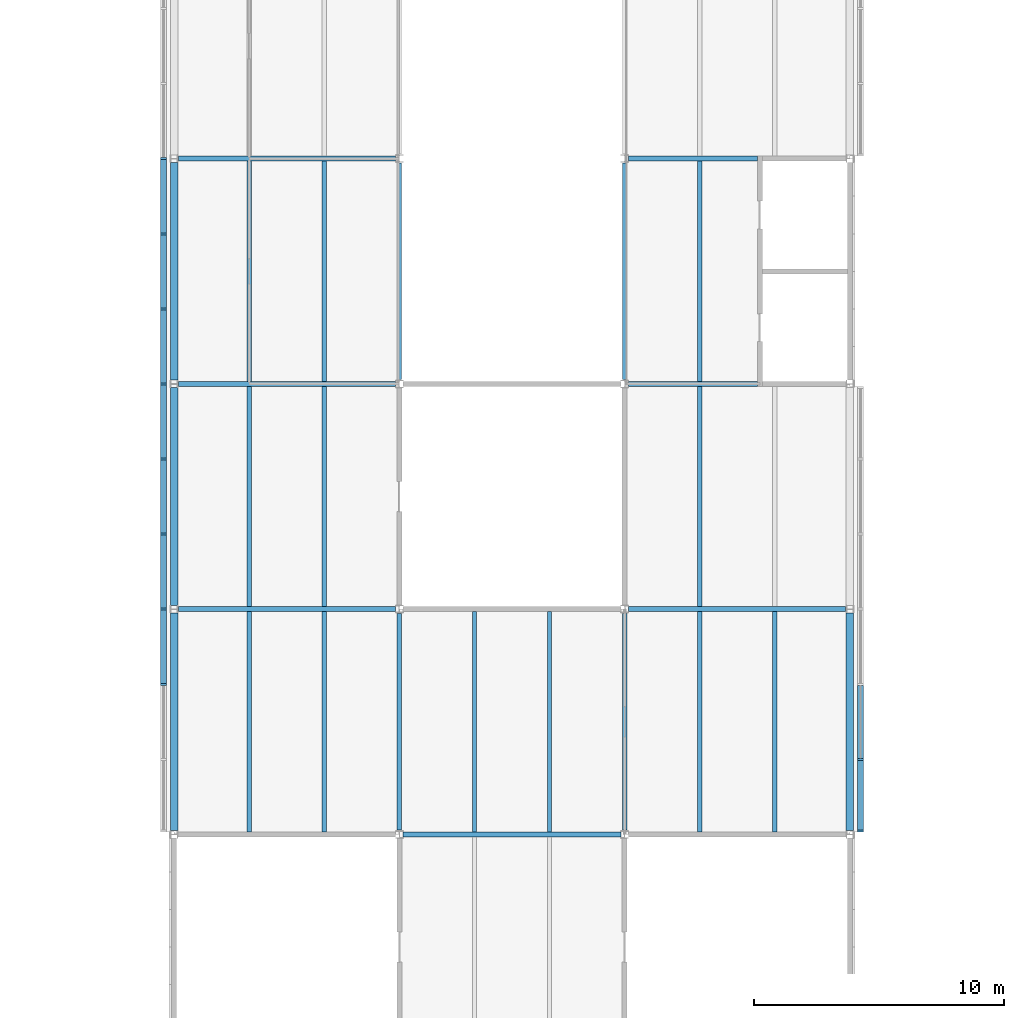
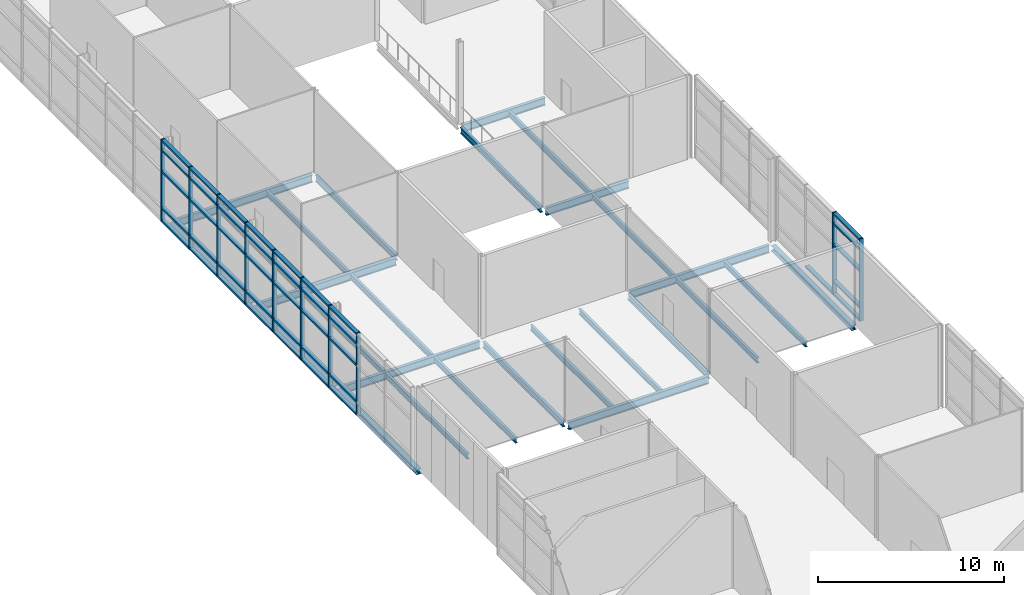
# One storey, part 11 of 46: 51 members, 27 beams, 2 elements without a shape of their own.
"""IFC4 building model written with IfcOpenShell, lengths in metres."""

from ifc_helpers import new_model, si_unit, direction, frame, origin, origin_2d, place, context, subcontext, project, spatial, rectangle, i_section, extrude, material, material_profile, profile_set, type_object, element, aggregate, save


model = new_model("IFC4")

# Units and contexts
model_context = context("Model", 3, precision=1e-05, world=origin(), true_north=direction((0.0, 1.0)))
body_context = subcontext(model_context, "Body", "Model", "MODEL_VIEW")
ifc_project = project(units=[si_unit("LENGTHUNIT", "METRE"), si_unit("AREAUNIT", "SQUARE_METRE"), si_unit("VOLUMEUNIT", "CUBIC_METRE"), si_unit("PLANEANGLEUNIT", "RADIAN"), si_unit("MASSUNIT", "GRAM", prefix="KILO")], contexts=[model_context])

# Site, building, storey
site_placement = place(None, origin())
site = spatial("IfcSite", under=ifc_project, at=site_placement, CompositionType="ELEMENT")
building_placement = place(site_placement, origin())
building = spatial("IfcBuilding", under=site, at=building_placement, Name="Azimuth Sports and Learning Centre", CompositionType="ELEMENT")
storey_placement = place(building_placement, frame((0.0, 0.0, 21.60009765625)))
storey = spatial("IfcBuildingStorey", under=building, at=storey_placement, Name="L04", CompositionType="ELEMENT", Elevation=21.60009765625)

# Beams
ifc_material_1 = material(Name="Steel S355", Category="steel")
ifc_material_profile_1 = material_profile(ifc_material_1, i_section(OverallWidth=0.179931640625, OverallDepth=0.39990234375, WebThickness=0.008544921875, FlangeThickness=0.013427734375, FilletRadius=0.02099609375, at=origin_2d()), Name="IPE 400")
ifc_profile_set_1 = profile_set([ifc_material_profile_1], Name="Steel S355")
beam_type_1 = type_object("IfcBeamType", Name="Beam IPE 400", PredefinedType="BEAM", material=ifc_profile_set_1)
for number, where, z_axis, x_axis, name in (
    (1, (81.0, 36.179931640625, -0.35009765625), (0.0, 1.0, 0.0), (-1.0, 0.0, 0.0), "Beam L04 ST 31"),
    (2, (81.0, 54.179931640625, -0.35009765625), (0.0, 1.0, 0.0), (-1.0, 0.0, 0.0), "Beam L04 ST 32"),
    (3, (90.0, 36.179931640625, -0.35009765625), (0.0, 1.0, 0.0), (-1.0, 0.0, 0.0), "Beam L04 ST 37"),
    (4, (90.0, 54.179931640625, -0.35009765625), (0.0, 1.0, 0.0), (-1.0, 0.0, 0.0), "Beam L04 ST 38"),
):
    element("IfcBeam", number, at=place(storey_placement, frame(where, z_axis=z_axis, x_axis=x_axis)), inside=storey, type_object=beam_type_1, Name=name, PredefinedType="BEAM", context=body_context, shape_type="SweptSolid", body=[
        extrude(i_section(OverallWidth=0.179931640625, OverallDepth=0.39990234375, WebThickness=0.008544921875, FlangeThickness=0.013427734375, FilletRadius=0.02099609375, at=origin_2d()), origin(), (0.0, 0.0, 1.0), 8.64013671875),
    ])
ifc_material_2 = material(Name="Steel S355", Category="steel")
ifc_material_profile_2 = material_profile(ifc_material_2, i_section(OverallWidth=0.199951171875, OverallDepth=0.5, WebThickness=0.01025390625, FlangeThickness=0.01611328125, FilletRadius=0.02099609375, at=origin_2d()), Name="IPE 500")
ifc_profile_set_2 = profile_set([ifc_material_profile_2], Name="Steel S355")
beam_type_2 = type_object("IfcBeamType", Name="Beam IPE 500", PredefinedType="BEAM", material=ifc_profile_set_2)
beam_1_placement = place(storey_placement, frame((81.14990234375, 36.0, -0.400146484375), z_axis=(1.0, 0.0, 0.0), x_axis=(0.0, 1.0, 0.0)))
element("IfcBeam", 5, at=beam_1_placement, inside=storey, type_object=beam_type_2, Name="Beam L04 ST 7", PredefinedType="BEAM", context=body_context, shape_type="SweptSolid", body=[
    extrude(i_section(OverallWidth=0.199951171875, OverallDepth=0.5, WebThickness=0.01025390625, FlangeThickness=0.01611328125, FilletRadius=0.02099609375, at=origin_2d()), origin(), (0.0, 0.0, 1.0), 8.7001953125),
])
for number, where, z_axis, x_axis, name in (
    (6, (72.179931640625, 45.0, -0.400146484375), (1.0, 0.0, 0.0), (0.0, 1.0, 0.0), "Beam L04 ST 8"),
    (7, (90.14990234375, 45.0, -0.400146484375), (1.0, 0.0, 0.0), (0.0, 1.0, 0.0), "Beam L04 ST 9"),
    (8, (72.179931640625, 54.0, -0.400146484375), (1.0, 0.0, 0.0), (0.0, 1.0, 0.0), "Beam L04 ST 10"),
):
    element("IfcBeam", number, at=place(storey_placement, frame(where, z_axis=z_axis, x_axis=x_axis)), inside=storey, type_object=beam_type_2, Name=name, PredefinedType="BEAM", context=body_context, shape_type="SweptSolid", body=[
        extrude(i_section(OverallWidth=0.199951171875, OverallDepth=0.5, WebThickness=0.01025390625, FlangeThickness=0.01611328125, FilletRadius=0.02099609375, at=origin_2d()), origin(), (0.0, 0.0, 1.0), 8.670166015625),
    ])
beam_2_placement = place(storey_placement, frame((90.14990234375, 54.0, -0.400146484375), z_axis=(1.0, 0.0, 0.0), x_axis=(0.0, 1.0, 0.0)))
element("IfcBeam", 9, at=beam_2_placement, inside=storey, type_object=beam_type_2, Name="Beam L04 ST 11", PredefinedType="BEAM", context=body_context, shape_type="SweptSolid", body=[
    extrude(i_section(OverallWidth=0.199951171875, OverallDepth=0.5, WebThickness=0.01025390625, FlangeThickness=0.01611328125, FilletRadius=0.02099609375, at=origin_2d()), origin(), (0.0, 0.0, 1.0), 5.150146484375),
])
beam_3_placement = place(storey_placement, frame((72.179931640625, 63.0, -0.400146484375), z_axis=(1.0, 0.0, 0.0), x_axis=(0.0, 1.0, 0.0)))
element("IfcBeam", 10, at=beam_3_placement, inside=storey, type_object=beam_type_2, Name="Beam L04 ST 12", PredefinedType="BEAM", context=body_context, shape_type="SweptSolid", body=[
    extrude(i_section(OverallWidth=0.199951171875, OverallDepth=0.5, WebThickness=0.01025390625, FlangeThickness=0.01611328125, FilletRadius=0.02099609375, at=origin_2d()), origin(), (0.0, 0.0, 1.0), 8.670166015625),
])
beam_4_placement = place(storey_placement, frame((90.14990234375, 63.0, -0.400146484375), z_axis=(1.0, 0.0, 0.0), x_axis=(0.0, 1.0, 0.0)))
element("IfcBeam", 11, at=beam_4_placement, inside=storey, type_object=beam_type_2, Name="Beam L04 ST 13", PredefinedType="BEAM", context=body_context, shape_type="SweptSolid", body=[
    extrude(i_section(OverallWidth=0.199951171875, OverallDepth=0.5, WebThickness=0.01025390625, FlangeThickness=0.01611328125, FilletRadius=0.02099609375, at=origin_2d()), origin(), (0.0, 0.0, 1.0), 5.150146484375),
])
ifc_material_3 = material(Name="Steel S355", Category="steel")
ifc_material_profile_3 = material_profile(ifc_material_3, i_section(OverallWidth=0.300048828125, OverallDepth=0.330078125, WebThickness=0.009521484375, FlangeThickness=0.0166015625, FilletRadius=0.027099609375, at=origin_2d()), Name="HEA 340")
ifc_profile_set_3 = profile_set([ifc_material_profile_3], Name="Steel S355")
beam_type_3 = type_object("IfcBeamType", Name="Edge beam HEA 340", PredefinedType="SPANDREL", material=ifc_profile_set_3)
for number, where, z_axis, x_axis, name in (
    (12, (72.0, 36.14990234375, -0.315185546875), (0.0, 1.0, 0.0), (-1.0, 0.0, 0.0), "Edge beam L04 ST 23"),
    (13, (72.0, 45.14990234375, -0.315185546875), (0.0, 1.0, 0.0), (-1.0, 0.0, 0.0), "Edge beam L04 ST 24"),
    (14, (72.0, 54.14990234375, -0.315185546875), (0.0, 1.0, 0.0), (-1.0, 0.0, 0.0), "Edge beam L04 ST 25"),
    (15, (99.0, 36.14990234375, -0.315185546875), (0.0, 1.0, 0.0), (-1.0, 0.0, 0.0), "Edge beam L04 ST 43"),
):
    element("IfcBeam", number, at=place(storey_placement, frame(where, z_axis=z_axis, x_axis=x_axis)), inside=storey, type_object=beam_type_3, Name=name, PredefinedType="SPANDREL", context=body_context, shape_type="SweptSolid", body=[
        extrude(i_section(OverallWidth=0.300048828125, OverallDepth=0.330078125, WebThickness=0.009521484375, FlangeThickness=0.0166015625, FilletRadius=0.027099609375, at=origin_2d()), origin(), (0.0, 0.0, 1.0), 8.7001953125),
    ])
ifc_material_4 = material(Name="Steel S355", Category="steel")
ifc_material_profile_4 = material_profile(ifc_material_4, i_section(OverallWidth=0.169921875, OverallDepth=0.360107421875, WebThickness=0.008056640625, FlangeThickness=0.0126953125, FilletRadius=0.01806640625, at=origin_2d()), Name="IPE 360")
ifc_profile_set_4 = profile_set([ifc_material_profile_4], Name="Steel S355")
beam_type_4 = type_object("IfcBeamType", Name="Joist IPE 360", PredefinedType="JOIST", material=ifc_profile_set_4)
for number, where, z_axis, x_axis, name in (
    (16, (75.0, 36.10009765625, -0.330078125), (0.0, 1.0, 0.0), (-1.0, 0.0, 0.0), "Joist L04 ST 50"),
    (17, (75.0, 45.10009765625, -0.330078125), (0.0, 1.0, 0.0), (-1.0, 0.0, 0.0), "Joist L04 ST 51"),
    (18, (75.0, 54.10009765625, -0.330078125), (0.0, 1.0, 0.0), (-1.0, 0.0, 0.0), "Joist L04 ST 52"),
    (19, (78.0, 36.10009765625, -0.330078125), (0.0, 1.0, 0.0), (-1.0, 0.0, 0.0), "Joist L04 ST 58"),
    (20, (78.0, 45.10009765625, -0.330078125), (0.0, 1.0, 0.0), (-1.0, 0.0, 0.0), "Joist L04 ST 59"),
    (21, (78.0, 54.10009765625, -0.330078125), (0.0, 1.0, 0.0), (-1.0, 0.0, 0.0), "Joist L04 ST 60"),
    (22, (84.0, 36.10009765625, -0.330078125), (0.0, 1.0, 0.0), (-1.0, 0.0, 0.0), "Joist L04 ST 68"),
    (23, (87.0, 36.10009765625, -0.330078125), (0.0, 1.0, 0.0), (-1.0, 0.0, 0.0), "Joist L04 ST 74"),
    (24, (93.0, 36.10009765625, -0.330078125), (0.0, 1.0, 0.0), (-1.0, 0.0, 0.0), "Joist L04 ST 78"),
    (25, (93.0, 45.10009765625, -0.330078125), (0.0, 1.0, 0.0), (-1.0, 0.0, 0.0), "Joist L04 ST 79"),
    (26, (93.0, 54.10009765625, -0.330078125), (0.0, 1.0, 0.0), (-1.0, 0.0, 0.0), "Joist L04 ST 80"),
    (27, (96.0, 36.10009765625, -0.330078125), (0.0, 1.0, 0.0), (-1.0, 0.0, 0.0), "Joist L04 ST 86"),
):
    element("IfcBeam", number, at=place(storey_placement, frame(where, z_axis=z_axis, x_axis=x_axis)), inside=storey, type_object=beam_type_4, Name=name, PredefinedType="JOIST", context=body_context, shape_type="SweptSolid", body=[
        extrude(i_section(OverallWidth=0.169921875, OverallDepth=0.360107421875, WebThickness=0.008056640625, FlangeThickness=0.0126953125, FilletRadius=0.01806640625, at=origin_2d()), origin(), (0.0, 0.0, 1.0), 8.7998046875),
    ])

# Curtain wall, members
ifc_material_5 = material(Name="Aluminium and glass", Category="aluminium")
curtain_wall_type = type_object("IfcCurtainWallType", Name="Curtain wall podium stem 240", PredefinedType="NOTDEFINED", material=ifc_material_5)
curtain_wall_1_placement = place(storey_placement, origin())
curtain_wall_1 = element("IfcCurtainWall", 28, at=curtain_wall_1_placement, inside=storey, type_object=curtain_wall_type, Name="Curtain wall CW04-003", PredefinedType="NOTDEFINED")
ifc_material_6 = material(Name="Aluminium", Category="aluminium")
ifc_material_profile_5 = material_profile(ifc_material_6, rectangle(XDim=0.239990234375, YDim=0.080078125, at=origin_2d()), Name="Mullion 80x240")
ifc_profile_set_5 = profile_set([ifc_material_profile_5], Name="Aluminium")
member_type_1 = type_object("IfcMemberType", Name="Mullion 80x240", PredefinedType="MULLION", material=ifc_profile_set_5)
member_1_placement = place(storey_placement, frame((71.580078125, 63.0, 0.0), z_axis=(0.0, 0.0, 1.0), x_axis=(1.0, 0.0, 0.0)))
member_1 = element("IfcMember", 29, at=member_1_placement, type_object=member_type_1, Name="CW04-003 mullion 10", PredefinedType="MULLION", context=body_context, shape_type="SweptSolid", body=[
    extrude(rectangle(XDim=0.239990234375, YDim=0.080078125, at=origin_2d()), origin(), (0.0, 0.0, 1.0), 5.39990234375),
])
member_2_placement = place(storey_placement, frame((71.580078125, 60.0, 0.0), z_axis=(0.0, 0.0, 1.0), x_axis=(1.0, 0.0, 0.0)))
member_2 = element("IfcMember", 30, at=member_2_placement, type_object=member_type_1, Name="CW04-003 mullion 11", PredefinedType="MULLION", context=body_context, shape_type="SweptSolid", body=[
    extrude(rectangle(XDim=0.239990234375, YDim=0.080078125, at=origin_2d()), origin(), (0.0, 0.0, 1.0), 5.39990234375),
])
member_3_placement = place(storey_placement, frame((71.580078125, 57.0, 0.0), z_axis=(0.0, 0.0, 1.0), x_axis=(1.0, 0.0, 0.0)))
member_3 = element("IfcMember", 31, at=member_3_placement, type_object=member_type_1, Name="CW04-003 mullion 12", PredefinedType="MULLION", context=body_context, shape_type="SweptSolid", body=[
    extrude(rectangle(XDim=0.239990234375, YDim=0.080078125, at=origin_2d()), origin(), (0.0, 0.0, 1.0), 5.39990234375),
])
member_4_placement = place(storey_placement, frame((71.580078125, 54.0, 0.0), z_axis=(0.0, 0.0, 1.0), x_axis=(1.0, 0.0, 0.0)))
member_4 = element("IfcMember", 32, at=member_4_placement, type_object=member_type_1, Name="CW04-003 mullion 13", PredefinedType="MULLION", context=body_context, shape_type="SweptSolid", body=[
    extrude(rectangle(XDim=0.239990234375, YDim=0.080078125, at=origin_2d()), origin(), (0.0, 0.0, 1.0), 5.39990234375),
])
member_5_placement = place(storey_placement, frame((71.580078125, 51.0, 0.0), z_axis=(0.0, 0.0, 1.0), x_axis=(1.0, 0.0, 0.0)))
member_5 = element("IfcMember", 33, at=member_5_placement, type_object=member_type_1, Name="CW04-003 mullion 14", PredefinedType="MULLION", context=body_context, shape_type="SweptSolid", body=[
    extrude(rectangle(XDim=0.239990234375, YDim=0.080078125, at=origin_2d()), origin(), (0.0, 0.0, 1.0), 5.39990234375),
])
member_6_placement = place(storey_placement, frame((71.580078125, 48.0, 0.0), z_axis=(0.0, 0.0, 1.0), x_axis=(1.0, 0.0, 0.0)))
member_6 = element("IfcMember", 34, at=member_6_placement, type_object=member_type_1, Name="CW04-003 mullion 15", PredefinedType="MULLION", context=body_context, shape_type="SweptSolid", body=[
    extrude(rectangle(XDim=0.239990234375, YDim=0.080078125, at=origin_2d()), origin(), (0.0, 0.0, 1.0), 5.39990234375),
])
member_7_placement = place(storey_placement, frame((71.580078125, 45.0, 0.0), z_axis=(0.0, 0.0, 1.0), x_axis=(1.0, 0.0, 0.0)))
member_7 = element("IfcMember", 35, at=member_7_placement, type_object=member_type_1, Name="CW04-003 mullion 16", PredefinedType="MULLION", context=body_context, shape_type="SweptSolid", body=[
    extrude(rectangle(XDim=0.239990234375, YDim=0.080078125, at=origin_2d()), origin(), (0.0, 0.0, 1.0), 5.39990234375),
])
member_8_placement = place(storey_placement, frame((71.580078125, 42.0, 0.0), z_axis=(0.0, 0.0, 1.0), x_axis=(1.0, 0.0, 0.0)))
member_8 = element("IfcMember", 36, at=member_8_placement, type_object=member_type_1, Name="CW04-003 mullion 17", PredefinedType="MULLION", context=body_context, shape_type="SweptSolid", body=[
    extrude(rectangle(XDim=0.239990234375, YDim=0.080078125, at=origin_2d()), origin(), (0.0, 0.0, 1.0), 5.39990234375),
])

curtain_wall_2_placement = place(storey_placement, origin())
curtain_wall_2 = element("IfcCurtainWall", 37, at=curtain_wall_2_placement, inside=storey, type_object=curtain_wall_type, Name="Curtain wall CW04-007", PredefinedType="NOTDEFINED")
member_9_placement = place(storey_placement, frame((99.419921875, 36.139892578125, 0.0), z_axis=(0.0, 0.0, 1.0), x_axis=(-1.0, 0.0, 0.0)))
member_9 = element("IfcMember", 38, at=member_9_placement, type_object=member_type_1, Name="CW04-007 mullion 1", PredefinedType="MULLION", context=body_context, shape_type="SweptSolid", body=[
    extrude(rectangle(XDim=0.239990234375, YDim=0.080078125, at=origin_2d()), origin(), (0.0, 0.0, 1.0), 5.39990234375),
])
member_10_placement = place(storey_placement, frame((99.419921875, 39.0, 0.0), z_axis=(0.0, 0.0, 1.0), x_axis=(-1.0, 0.0, 0.0)))
member_10 = element("IfcMember", 39, at=member_10_placement, type_object=member_type_1, Name="CW04-007 mullion 2", PredefinedType="MULLION", context=body_context, shape_type="SweptSolid", body=[
    extrude(rectangle(XDim=0.239990234375, YDim=0.080078125, at=origin_2d()), origin(), (0.0, 0.0, 1.0), 5.39990234375),
])

# Member
ifc_material_7 = material(Name="Aluminium", Category="aluminium")
ifc_material_profile_6 = material_profile(ifc_material_7, rectangle(XDim=0.239990234375, YDim=0.1201171875, at=origin_2d()), Name="Transom 120x240")
ifc_profile_set_6 = profile_set([ifc_material_profile_6], Name="Aluminium")
member_type_2 = type_object("IfcMemberType", Name="Transom 120x240", PredefinedType="USERDEFINED", material=ifc_profile_set_6)
member_11_placement = place(storey_placement, frame((71.580078125, 62.9599609375, 0.059814453125), z_axis=(0.0, -1.0, 0.0), x_axis=(1.0, 0.0, 0.0)))
member_11 = element("IfcMember", 40, at=member_11_placement, type_object=member_type_2, Name="CW04-003 transom 10.1", ObjectType="TRANSOM", PredefinedType="USERDEFINED", context=body_context, shape_type="SweptSolid", body=[
    extrude(rectangle(XDim=0.239990234375, YDim=0.1201171875, at=origin_2d()), origin(), (0.0, 0.0, 1.0), 2.919921875),
])

member_12_placement = place(storey_placement, frame((71.580078125, 62.9599609375, 0.89990234375), z_axis=(0.0, -1.0, 0.0), x_axis=(1.0, 0.0, 0.0)))
member_12 = element("IfcMember", 41, at=member_12_placement, type_object=member_type_2, Name="CW04-003 transom 10.2", ObjectType="TRANSOM", PredefinedType="USERDEFINED", context=body_context, shape_type="SweptSolid", body=[
    extrude(rectangle(XDim=0.239990234375, YDim=0.1201171875, at=origin_2d()), origin(), (0.0, 0.0, 1.0), 2.919921875),
])

member_13_placement = place(storey_placement, frame((71.580078125, 62.9599609375, 3.2998046875), z_axis=(0.0, -1.0, 0.0), x_axis=(1.0, 0.0, 0.0)))
member_13 = element("IfcMember", 42, at=member_13_placement, type_object=member_type_2, Name="CW04-003 transom 10.3", ObjectType="TRANSOM", PredefinedType="USERDEFINED", context=body_context, shape_type="SweptSolid", body=[
    extrude(rectangle(XDim=0.239990234375, YDim=0.1201171875, at=origin_2d()), origin(), (0.0, 0.0, 1.0), 2.919921875),
])

member_14_placement = place(storey_placement, frame((71.580078125, 62.9599609375, 4.699951171875), z_axis=(0.0, -1.0, 0.0), x_axis=(1.0, 0.0, 0.0)))
member_14 = element("IfcMember", 43, at=member_14_placement, type_object=member_type_2, Name="CW04-003 transom 10.4", ObjectType="TRANSOM", PredefinedType="USERDEFINED", context=body_context, shape_type="SweptSolid", body=[
    extrude(rectangle(XDim=0.239990234375, YDim=0.1201171875, at=origin_2d()), origin(), (0.0, 0.0, 1.0), 2.919921875),
])

member_15_placement = place(storey_placement, frame((71.580078125, 62.9599609375, 5.33984375), z_axis=(0.0, -1.0, 0.0), x_axis=(1.0, 0.0, 0.0)))
member_15 = element("IfcMember", 44, at=member_15_placement, type_object=member_type_2, Name="CW04-003 transom 10.5", ObjectType="TRANSOM", PredefinedType="USERDEFINED", context=body_context, shape_type="SweptSolid", body=[
    extrude(rectangle(XDim=0.239990234375, YDim=0.1201171875, at=origin_2d()), origin(), (0.0, 0.0, 1.0), 2.919921875),
])

member_16_placement = place(storey_placement, frame((71.580078125, 59.9599609375, 0.059814453125), z_axis=(0.0, -1.0, 0.0), x_axis=(1.0, 0.0, 0.0)))
member_16 = element("IfcMember", 45, at=member_16_placement, type_object=member_type_2, Name="CW04-003 transom 11.1", ObjectType="TRANSOM", PredefinedType="USERDEFINED", context=body_context, shape_type="SweptSolid", body=[
    extrude(rectangle(XDim=0.239990234375, YDim=0.1201171875, at=origin_2d()), origin(), (0.0, 0.0, 1.0), 2.919921875),
])

member_17_placement = place(storey_placement, frame((71.580078125, 59.9599609375, 0.89990234375), z_axis=(0.0, -1.0, 0.0), x_axis=(1.0, 0.0, 0.0)))
member_17 = element("IfcMember", 46, at=member_17_placement, type_object=member_type_2, Name="CW04-003 transom 11.2", ObjectType="TRANSOM", PredefinedType="USERDEFINED", context=body_context, shape_type="SweptSolid", body=[
    extrude(rectangle(XDim=0.239990234375, YDim=0.1201171875, at=origin_2d()), origin(), (0.0, 0.0, 1.0), 2.919921875),
])

member_18_placement = place(storey_placement, frame((71.580078125, 59.9599609375, 3.2998046875), z_axis=(0.0, -1.0, 0.0), x_axis=(1.0, 0.0, 0.0)))
member_18 = element("IfcMember", 47, at=member_18_placement, type_object=member_type_2, Name="CW04-003 transom 11.3", ObjectType="TRANSOM", PredefinedType="USERDEFINED", context=body_context, shape_type="SweptSolid", body=[
    extrude(rectangle(XDim=0.239990234375, YDim=0.1201171875, at=origin_2d()), origin(), (0.0, 0.0, 1.0), 2.919921875),
])

member_19_placement = place(storey_placement, frame((71.580078125, 59.9599609375, 4.699951171875), z_axis=(0.0, -1.0, 0.0), x_axis=(1.0, 0.0, 0.0)))
member_19 = element("IfcMember", 48, at=member_19_placement, type_object=member_type_2, Name="CW04-003 transom 11.4", ObjectType="TRANSOM", PredefinedType="USERDEFINED", context=body_context, shape_type="SweptSolid", body=[
    extrude(rectangle(XDim=0.239990234375, YDim=0.1201171875, at=origin_2d()), origin(), (0.0, 0.0, 1.0), 2.919921875),
])

member_20_placement = place(storey_placement, frame((71.580078125, 59.9599609375, 5.33984375), z_axis=(0.0, -1.0, 0.0), x_axis=(1.0, 0.0, 0.0)))
member_20 = element("IfcMember", 49, at=member_20_placement, type_object=member_type_2, Name="CW04-003 transom 11.5", ObjectType="TRANSOM", PredefinedType="USERDEFINED", context=body_context, shape_type="SweptSolid", body=[
    extrude(rectangle(XDim=0.239990234375, YDim=0.1201171875, at=origin_2d()), origin(), (0.0, 0.0, 1.0), 2.919921875),
])

member_21_placement = place(storey_placement, frame((71.580078125, 56.9599609375, 0.059814453125), z_axis=(0.0, -1.0, 0.0), x_axis=(1.0, 0.0, 0.0)))
member_21 = element("IfcMember", 50, at=member_21_placement, type_object=member_type_2, Name="CW04-003 transom 12.1", ObjectType="TRANSOM", PredefinedType="USERDEFINED", context=body_context, shape_type="SweptSolid", body=[
    extrude(rectangle(XDim=0.239990234375, YDim=0.1201171875, at=origin_2d()), origin(), (0.0, 0.0, 1.0), 2.919921875),
])

member_22_placement = place(storey_placement, frame((71.580078125, 56.9599609375, 0.89990234375), z_axis=(0.0, -1.0, 0.0), x_axis=(1.0, 0.0, 0.0)))
member_22 = element("IfcMember", 51, at=member_22_placement, type_object=member_type_2, Name="CW04-003 transom 12.2", ObjectType="TRANSOM", PredefinedType="USERDEFINED", context=body_context, shape_type="SweptSolid", body=[
    extrude(rectangle(XDim=0.239990234375, YDim=0.1201171875, at=origin_2d()), origin(), (0.0, 0.0, 1.0), 2.919921875),
])

member_23_placement = place(storey_placement, frame((71.580078125, 56.9599609375, 3.2998046875), z_axis=(0.0, -1.0, 0.0), x_axis=(1.0, 0.0, 0.0)))
member_23 = element("IfcMember", 52, at=member_23_placement, type_object=member_type_2, Name="CW04-003 transom 12.3", ObjectType="TRANSOM", PredefinedType="USERDEFINED", context=body_context, shape_type="SweptSolid", body=[
    extrude(rectangle(XDim=0.239990234375, YDim=0.1201171875, at=origin_2d()), origin(), (0.0, 0.0, 1.0), 2.919921875),
])

member_24_placement = place(storey_placement, frame((71.580078125, 56.9599609375, 4.699951171875), z_axis=(0.0, -1.0, 0.0), x_axis=(1.0, 0.0, 0.0)))
member_24 = element("IfcMember", 53, at=member_24_placement, type_object=member_type_2, Name="CW04-003 transom 12.4", ObjectType="TRANSOM", PredefinedType="USERDEFINED", context=body_context, shape_type="SweptSolid", body=[
    extrude(rectangle(XDim=0.239990234375, YDim=0.1201171875, at=origin_2d()), origin(), (0.0, 0.0, 1.0), 2.919921875),
])

member_25_placement = place(storey_placement, frame((71.580078125, 56.9599609375, 5.33984375), z_axis=(0.0, -1.0, 0.0), x_axis=(1.0, 0.0, 0.0)))
member_25 = element("IfcMember", 54, at=member_25_placement, type_object=member_type_2, Name="CW04-003 transom 12.5", ObjectType="TRANSOM", PredefinedType="USERDEFINED", context=body_context, shape_type="SweptSolid", body=[
    extrude(rectangle(XDim=0.239990234375, YDim=0.1201171875, at=origin_2d()), origin(), (0.0, 0.0, 1.0), 2.919921875),
])

member_26_placement = place(storey_placement, frame((71.580078125, 53.9599609375, 0.059814453125), z_axis=(0.0, -1.0, 0.0), x_axis=(1.0, 0.0, 0.0)))
member_26 = element("IfcMember", 55, at=member_26_placement, type_object=member_type_2, Name="CW04-003 transom 13.1", ObjectType="TRANSOM", PredefinedType="USERDEFINED", context=body_context, shape_type="SweptSolid", body=[
    extrude(rectangle(XDim=0.239990234375, YDim=0.1201171875, at=origin_2d()), origin(), (0.0, 0.0, 1.0), 2.919921875),
])

member_27_placement = place(storey_placement, frame((71.580078125, 53.9599609375, 0.89990234375), z_axis=(0.0, -1.0, 0.0), x_axis=(1.0, 0.0, 0.0)))
member_27 = element("IfcMember", 56, at=member_27_placement, type_object=member_type_2, Name="CW04-003 transom 13.2", ObjectType="TRANSOM", PredefinedType="USERDEFINED", context=body_context, shape_type="SweptSolid", body=[
    extrude(rectangle(XDim=0.239990234375, YDim=0.1201171875, at=origin_2d()), origin(), (0.0, 0.0, 1.0), 2.919921875),
])

member_28_placement = place(storey_placement, frame((71.580078125, 53.9599609375, 3.2998046875), z_axis=(0.0, -1.0, 0.0), x_axis=(1.0, 0.0, 0.0)))
member_28 = element("IfcMember", 57, at=member_28_placement, type_object=member_type_2, Name="CW04-003 transom 13.3", ObjectType="TRANSOM", PredefinedType="USERDEFINED", context=body_context, shape_type="SweptSolid", body=[
    extrude(rectangle(XDim=0.239990234375, YDim=0.1201171875, at=origin_2d()), origin(), (0.0, 0.0, 1.0), 2.919921875),
])

member_29_placement = place(storey_placement, frame((71.580078125, 53.9599609375, 4.699951171875), z_axis=(0.0, -1.0, 0.0), x_axis=(1.0, 0.0, 0.0)))
member_29 = element("IfcMember", 58, at=member_29_placement, type_object=member_type_2, Name="CW04-003 transom 13.4", ObjectType="TRANSOM", PredefinedType="USERDEFINED", context=body_context, shape_type="SweptSolid", body=[
    extrude(rectangle(XDim=0.239990234375, YDim=0.1201171875, at=origin_2d()), origin(), (0.0, 0.0, 1.0), 2.919921875),
])

member_30_placement = place(storey_placement, frame((71.580078125, 53.9599609375, 5.33984375), z_axis=(0.0, -1.0, 0.0), x_axis=(1.0, 0.0, 0.0)))
member_30 = element("IfcMember", 59, at=member_30_placement, type_object=member_type_2, Name="CW04-003 transom 13.5", ObjectType="TRANSOM", PredefinedType="USERDEFINED", context=body_context, shape_type="SweptSolid", body=[
    extrude(rectangle(XDim=0.239990234375, YDim=0.1201171875, at=origin_2d()), origin(), (0.0, 0.0, 1.0), 2.919921875),
])

member_31_placement = place(storey_placement, frame((71.580078125, 50.9599609375, 0.059814453125), z_axis=(0.0, -1.0, 0.0), x_axis=(1.0, 0.0, 0.0)))
member_31 = element("IfcMember", 60, at=member_31_placement, type_object=member_type_2, Name="CW04-003 transom 14.1", ObjectType="TRANSOM", PredefinedType="USERDEFINED", context=body_context, shape_type="SweptSolid", body=[
    extrude(rectangle(XDim=0.239990234375, YDim=0.1201171875, at=origin_2d()), origin(), (0.0, 0.0, 1.0), 2.919921875),
])

member_32_placement = place(storey_placement, frame((71.580078125, 50.9599609375, 0.89990234375), z_axis=(0.0, -1.0, 0.0), x_axis=(1.0, 0.0, 0.0)))
member_32 = element("IfcMember", 61, at=member_32_placement, type_object=member_type_2, Name="CW04-003 transom 14.2", ObjectType="TRANSOM", PredefinedType="USERDEFINED", context=body_context, shape_type="SweptSolid", body=[
    extrude(rectangle(XDim=0.239990234375, YDim=0.1201171875, at=origin_2d()), origin(), (0.0, 0.0, 1.0), 2.919921875),
])

member_33_placement = place(storey_placement, frame((71.580078125, 50.9599609375, 3.2998046875), z_axis=(0.0, -1.0, 0.0), x_axis=(1.0, 0.0, 0.0)))
member_33 = element("IfcMember", 62, at=member_33_placement, type_object=member_type_2, Name="CW04-003 transom 14.3", ObjectType="TRANSOM", PredefinedType="USERDEFINED", context=body_context, shape_type="SweptSolid", body=[
    extrude(rectangle(XDim=0.239990234375, YDim=0.1201171875, at=origin_2d()), origin(), (0.0, 0.0, 1.0), 2.919921875),
])

member_34_placement = place(storey_placement, frame((71.580078125, 50.9599609375, 4.699951171875), z_axis=(0.0, -1.0, 0.0), x_axis=(1.0, 0.0, 0.0)))
member_34 = element("IfcMember", 63, at=member_34_placement, type_object=member_type_2, Name="CW04-003 transom 14.4", ObjectType="TRANSOM", PredefinedType="USERDEFINED", context=body_context, shape_type="SweptSolid", body=[
    extrude(rectangle(XDim=0.239990234375, YDim=0.1201171875, at=origin_2d()), origin(), (0.0, 0.0, 1.0), 2.919921875),
])

member_35_placement = place(storey_placement, frame((71.580078125, 50.9599609375, 5.33984375), z_axis=(0.0, -1.0, 0.0), x_axis=(1.0, 0.0, 0.0)))
member_35 = element("IfcMember", 64, at=member_35_placement, type_object=member_type_2, Name="CW04-003 transom 14.5", ObjectType="TRANSOM", PredefinedType="USERDEFINED", context=body_context, shape_type="SweptSolid", body=[
    extrude(rectangle(XDim=0.239990234375, YDim=0.1201171875, at=origin_2d()), origin(), (0.0, 0.0, 1.0), 2.919921875),
])

member_36_placement = place(storey_placement, frame((71.580078125, 47.9599609375, 0.059814453125), z_axis=(0.0, -1.0, 0.0), x_axis=(1.0, 0.0, 0.0)))
member_36 = element("IfcMember", 65, at=member_36_placement, type_object=member_type_2, Name="CW04-003 transom 15.1", ObjectType="TRANSOM", PredefinedType="USERDEFINED", context=body_context, shape_type="SweptSolid", body=[
    extrude(rectangle(XDim=0.239990234375, YDim=0.1201171875, at=origin_2d()), origin(), (0.0, 0.0, 1.0), 2.919921875),
])

member_37_placement = place(storey_placement, frame((71.580078125, 47.9599609375, 0.89990234375), z_axis=(0.0, -1.0, 0.0), x_axis=(1.0, 0.0, 0.0)))
member_37 = element("IfcMember", 66, at=member_37_placement, type_object=member_type_2, Name="CW04-003 transom 15.2", ObjectType="TRANSOM", PredefinedType="USERDEFINED", context=body_context, shape_type="SweptSolid", body=[
    extrude(rectangle(XDim=0.239990234375, YDim=0.1201171875, at=origin_2d()), origin(), (0.0, 0.0, 1.0), 2.919921875),
])

member_38_placement = place(storey_placement, frame((71.580078125, 47.9599609375, 3.2998046875), z_axis=(0.0, -1.0, 0.0), x_axis=(1.0, 0.0, 0.0)))
member_38 = element("IfcMember", 67, at=member_38_placement, type_object=member_type_2, Name="CW04-003 transom 15.3", ObjectType="TRANSOM", PredefinedType="USERDEFINED", context=body_context, shape_type="SweptSolid", body=[
    extrude(rectangle(XDim=0.239990234375, YDim=0.1201171875, at=origin_2d()), origin(), (0.0, 0.0, 1.0), 2.919921875),
])

member_39_placement = place(storey_placement, frame((71.580078125, 47.9599609375, 4.699951171875), z_axis=(0.0, -1.0, 0.0), x_axis=(1.0, 0.0, 0.0)))
member_39 = element("IfcMember", 68, at=member_39_placement, type_object=member_type_2, Name="CW04-003 transom 15.4", ObjectType="TRANSOM", PredefinedType="USERDEFINED", context=body_context, shape_type="SweptSolid", body=[
    extrude(rectangle(XDim=0.239990234375, YDim=0.1201171875, at=origin_2d()), origin(), (0.0, 0.0, 1.0), 2.919921875),
])

member_40_placement = place(storey_placement, frame((71.580078125, 47.9599609375, 5.33984375), z_axis=(0.0, -1.0, 0.0), x_axis=(1.0, 0.0, 0.0)))
member_40 = element("IfcMember", 69, at=member_40_placement, type_object=member_type_2, Name="CW04-003 transom 15.5", ObjectType="TRANSOM", PredefinedType="USERDEFINED", context=body_context, shape_type="SweptSolid", body=[
    extrude(rectangle(XDim=0.239990234375, YDim=0.1201171875, at=origin_2d()), origin(), (0.0, 0.0, 1.0), 2.919921875),
])

member_41_placement = place(storey_placement, frame((71.580078125, 44.9599609375, 0.059814453125), z_axis=(0.0, -1.0, 0.0), x_axis=(1.0, 0.0, 0.0)))
member_41 = element("IfcMember", 70, at=member_41_placement, type_object=member_type_2, Name="CW04-003 transom 16.1", ObjectType="TRANSOM", PredefinedType="USERDEFINED", context=body_context, shape_type="SweptSolid", body=[
    extrude(rectangle(XDim=0.239990234375, YDim=0.1201171875, at=origin_2d()), origin(), (0.0, 0.0, 1.0), 2.919921875),
])

member_42_placement = place(storey_placement, frame((71.580078125, 44.9599609375, 0.89990234375), z_axis=(0.0, -1.0, 0.0), x_axis=(1.0, 0.0, 0.0)))
member_42 = element("IfcMember", 71, at=member_42_placement, type_object=member_type_2, Name="CW04-003 transom 16.2", ObjectType="TRANSOM", PredefinedType="USERDEFINED", context=body_context, shape_type="SweptSolid", body=[
    extrude(rectangle(XDim=0.239990234375, YDim=0.1201171875, at=origin_2d()), origin(), (0.0, 0.0, 1.0), 2.919921875),
])

member_43_placement = place(storey_placement, frame((71.580078125, 44.9599609375, 3.2998046875), z_axis=(0.0, -1.0, 0.0), x_axis=(1.0, 0.0, 0.0)))
member_43 = element("IfcMember", 72, at=member_43_placement, type_object=member_type_2, Name="CW04-003 transom 16.3", ObjectType="TRANSOM", PredefinedType="USERDEFINED", context=body_context, shape_type="SweptSolid", body=[
    extrude(rectangle(XDim=0.239990234375, YDim=0.1201171875, at=origin_2d()), origin(), (0.0, 0.0, 1.0), 2.919921875),
])

member_44_placement = place(storey_placement, frame((71.580078125, 44.9599609375, 4.699951171875), z_axis=(0.0, -1.0, 0.0), x_axis=(1.0, 0.0, 0.0)))
member_44 = element("IfcMember", 73, at=member_44_placement, type_object=member_type_2, Name="CW04-003 transom 16.4", ObjectType="TRANSOM", PredefinedType="USERDEFINED", context=body_context, shape_type="SweptSolid", body=[
    extrude(rectangle(XDim=0.239990234375, YDim=0.1201171875, at=origin_2d()), origin(), (0.0, 0.0, 1.0), 2.919921875),
])

member_45_placement = place(storey_placement, frame((71.580078125, 44.9599609375, 5.33984375), z_axis=(0.0, -1.0, 0.0), x_axis=(1.0, 0.0, 0.0)))
member_45 = element("IfcMember", 74, at=member_45_placement, type_object=member_type_2, Name="CW04-003 transom 16.5", ObjectType="TRANSOM", PredefinedType="USERDEFINED", context=body_context, shape_type="SweptSolid", body=[
    extrude(rectangle(XDim=0.239990234375, YDim=0.1201171875, at=origin_2d()), origin(), (0.0, 0.0, 1.0), 2.919921875),
])

aggregate(curtain_wall_1, [member_1, member_2, member_3, member_4, member_5, member_6, member_7, member_8, member_11, member_12, member_13, member_14, member_15, member_16, member_17, member_18, member_19, member_20, member_21, member_22, member_23, member_24, member_25, member_26, member_27, member_28, member_29, member_30, member_31, member_32, member_33, member_34, member_35, member_36, member_37, member_38, member_39, member_40, member_41, member_42, member_43, member_44, member_45])

member_46_placement = place(storey_placement, frame((99.419921875, 36.179931640625, 0.059814453125), z_axis=(0.0, 1.0, 0.0), x_axis=(-1.0, 0.0, 0.0)))
member_46 = element("IfcMember", 75, at=member_46_placement, type_object=member_type_2, Name="CW04-007 transom 1.1", ObjectType="TRANSOM", PredefinedType="USERDEFINED", context=body_context, shape_type="SweptSolid", body=[
    extrude(rectangle(XDim=0.239990234375, YDim=0.1201171875, at=origin_2d()), origin(), (0.0, 0.0, 1.0), 2.780029296875),
])

member_47_placement = place(storey_placement, frame((99.419921875, 36.179931640625, 0.89990234375), z_axis=(0.0, 1.0, 0.0), x_axis=(-1.0, 0.0, 0.0)))
member_47 = element("IfcMember", 76, at=member_47_placement, type_object=member_type_2, Name="CW04-007 transom 1.2", ObjectType="TRANSOM", PredefinedType="USERDEFINED", context=body_context, shape_type="SweptSolid", body=[
    extrude(rectangle(XDim=0.239990234375, YDim=0.1201171875, at=origin_2d()), origin(), (0.0, 0.0, 1.0), 2.780029296875),
])

member_48_placement = place(storey_placement, frame((99.419921875, 36.179931640625, 3.2998046875), z_axis=(0.0, 1.0, 0.0), x_axis=(-1.0, 0.0, 0.0)))
member_48 = element("IfcMember", 77, at=member_48_placement, type_object=member_type_2, Name="CW04-007 transom 1.3", ObjectType="TRANSOM", PredefinedType="USERDEFINED", context=body_context, shape_type="SweptSolid", body=[
    extrude(rectangle(XDim=0.239990234375, YDim=0.1201171875, at=origin_2d()), origin(), (0.0, 0.0, 1.0), 2.780029296875),
])

member_49_placement = place(storey_placement, frame((99.419921875, 36.179931640625, 4.699951171875), z_axis=(0.0, 1.0, 0.0), x_axis=(-1.0, 0.0, 0.0)))
member_49 = element("IfcMember", 78, at=member_49_placement, type_object=member_type_2, Name="CW04-007 transom 1.4", ObjectType="TRANSOM", PredefinedType="USERDEFINED", context=body_context, shape_type="SweptSolid", body=[
    extrude(rectangle(XDim=0.239990234375, YDim=0.1201171875, at=origin_2d()), origin(), (0.0, 0.0, 1.0), 2.780029296875),
])

member_50_placement = place(storey_placement, frame((99.419921875, 36.179931640625, 5.33984375), z_axis=(0.0, 1.0, 0.0), x_axis=(-1.0, 0.0, 0.0)))
member_50 = element("IfcMember", 79, at=member_50_placement, type_object=member_type_2, Name="CW04-007 transom 1.5", ObjectType="TRANSOM", PredefinedType="USERDEFINED", context=body_context, shape_type="SweptSolid", body=[
    extrude(rectangle(XDim=0.239990234375, YDim=0.1201171875, at=origin_2d()), origin(), (0.0, 0.0, 1.0), 2.780029296875),
])

member_51_placement = place(storey_placement, frame((99.419921875, 39.0400390625, 0.059814453125), z_axis=(0.0, 1.0, 0.0), x_axis=(-1.0, 0.0, 0.0)))
member_51 = element("IfcMember", 80, at=member_51_placement, type_object=member_type_2, Name="CW04-007 transom 2.1", ObjectType="TRANSOM", PredefinedType="USERDEFINED", context=body_context, shape_type="SweptSolid", body=[
    extrude(rectangle(XDim=0.239990234375, YDim=0.1201171875, at=origin_2d()), origin(), (0.0, 0.0, 1.0), 2.919921875),
])

aggregate(curtain_wall_2, [member_9, member_10, member_46, member_47, member_48, member_49, member_50, member_51])

save(model, "model.ifc")
